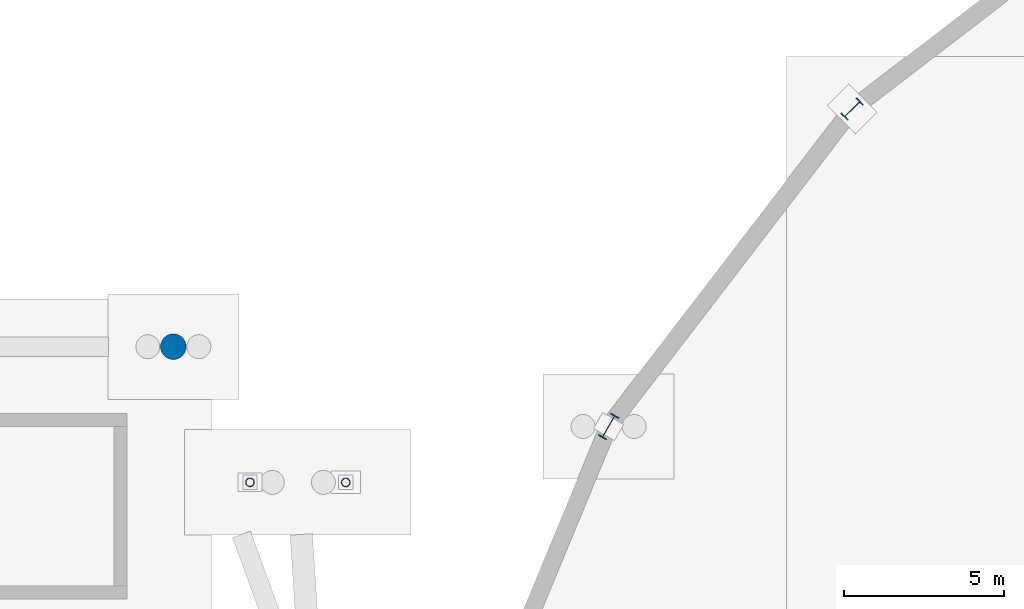
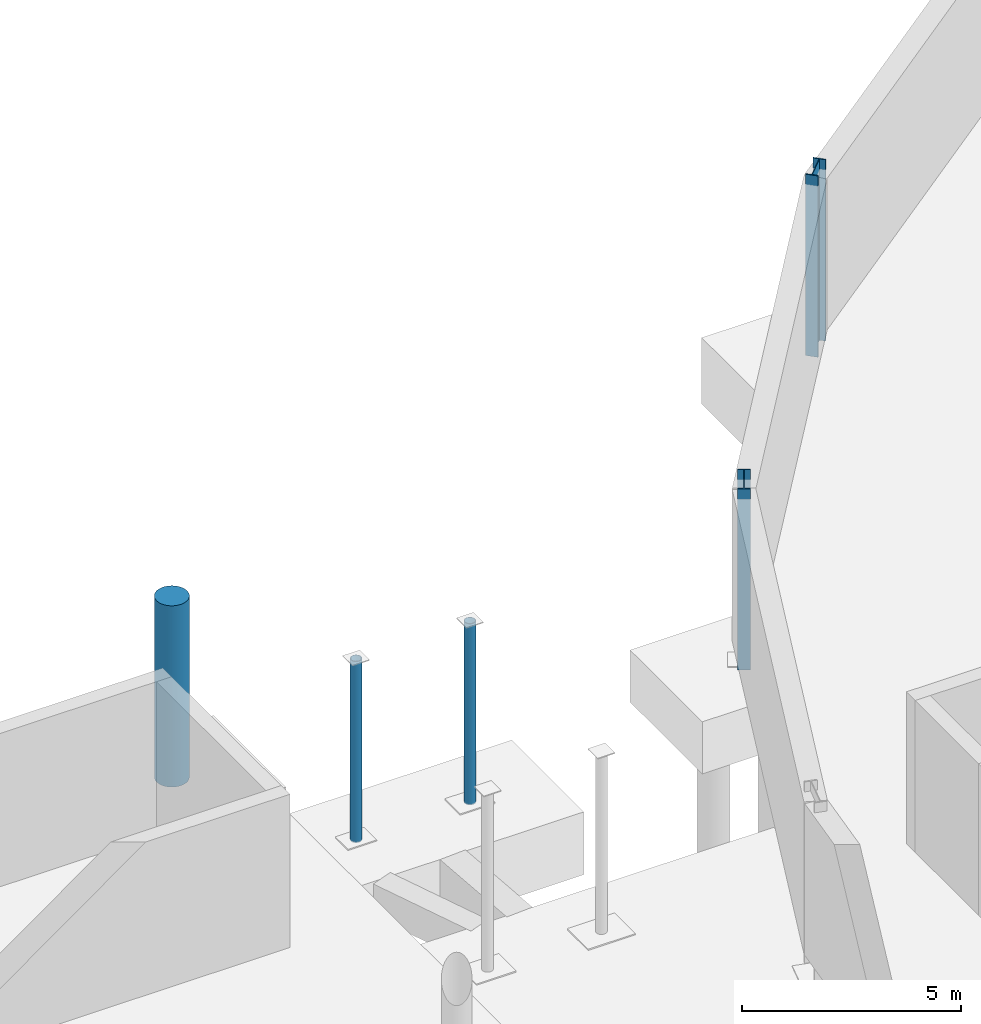
# One storey, part 21 of 55: 5 columns.
"""IFC4 building model written with IfcOpenShell, lengths in metres."""

from ifc_helpers import new_model, si_unit, direction, frame, origin, origin_2d, place, context, subcontext, project, spatial, circle, hollow_circle, i_section, extrude, material, material_profile, profile_set, type_object, element, save


model = new_model("IFC4")

# Units and contexts
model_context = context("Model", 3, precision=1e-05, world=origin(), true_north=direction((0.0, 1.0)))
body_context = subcontext(model_context, "Body", "Model", "MODEL_VIEW")
ifc_project = project(units=[si_unit("LENGTHUNIT", "METRE"), si_unit("AREAUNIT", "SQUARE_METRE"), si_unit("VOLUMEUNIT", "CUBIC_METRE"), si_unit("PLANEANGLEUNIT", "RADIAN"), si_unit("MASSUNIT", "GRAM", prefix="KILO")], contexts=[model_context])

# Site, building, storey
site_placement = place(None, origin())
site = spatial("IfcSite", under=ifc_project, at=site_placement, CompositionType="ELEMENT")
building_placement = place(site_placement, origin())
building = spatial("IfcBuilding", under=site, at=building_placement, Name="Sohan Crest Arena", CompositionType="ELEMENT")
storey_placement = place(building_placement, frame((0.0, 0.0, -4.5)))
storey = spatial("IfcBuildingStorey", under=building, at=storey_placement, Name="B1", CompositionType="ELEMENT", Elevation=-4.5)

# Columns
ifc_material_1 = material(Name="Concrete C40/50", Category="concrete")
ifc_material_profile_1 = material_profile(ifc_material_1, circle(Radius=0.39990234375, at=origin_2d()), Name="RC D800")
ifc_profile_set_1 = profile_set([ifc_material_profile_1], Name="Concrete C40/50")
column_type_1 = type_object("IfcColumnType", Name="STR-COL-C14", PredefinedType="COLUMN", material=ifc_profile_set_1)
column_1_placement = place(storey_placement, frame((42.800048828125, 104.5, -0.550048828125), z_axis=(0.0, 0.0, 1.0), x_axis=(1.0, 0.0, 0.0)))
element("IfcColumn", 1, at=column_1_placement, inside=storey, type_object=column_type_1, Name="Structural column COL-V3C-45-B1", PredefinedType="COLUMN", context=body_context, shape_type="SweptSolid", body=[
    extrude(circle(Radius=0.39990234375, at=origin_2d()), origin(), (0.0, 0.0, 1.0), 5.050048828125),
])
ifc_material_2 = material(Name="Steel S355", Category="steel")
ifc_material_profile_2 = material_profile(ifc_material_2, i_section(OverallWidth=0.300048828125, OverallDepth=0.699951171875, WebThickness=0.01708984375, FlangeThickness=0.031982421875, at=origin_2d()), Name="HEB 700")
ifc_profile_set_2 = profile_set([ifc_material_profile_2], Name="Steel S355")
column_type_2 = type_object("IfcColumnType", Name="STR-COL-C21", PredefinedType="COLUMN", material=ifc_profile_set_2)
column_2_placement = place(storey_placement, frame((64.05908203125, 111.94091796875, -0.550048828125), z_axis=(0.0, 0.0, 1.0), x_axis=(-0.707106781187, 0.707106781187, 0.0)))
element("IfcColumn", 2, at=column_2_placement, inside=storey, type_object=column_type_2, Name="Structural column COL-V2O-04-B1", PredefinedType="COLUMN", context=body_context, shape_type="SweptSolid", body=[
    extrude(i_section(OverallWidth=0.300048828125, OverallDepth=0.699951171875, WebThickness=0.01708984375, FlangeThickness=0.031982421875, at=origin_2d()), origin(), (0.0, 0.0, 1.0), 5.050048828125),
])
ifc_material_profile_3 = material_profile(ifc_material_2, i_section(OverallWidth=0.300048828125, OverallDepth=0.800048828125, WebThickness=0.017578125, FlangeThickness=0.032958984375, at=origin_2d()), Name="HEB 800")
ifc_profile_set_3 = profile_set([ifc_material_profile_3], Name="Steel S355")
column_type_3 = type_object("IfcColumnType", Name="STR-COL-C22", PredefinedType="COLUMN", material=ifc_profile_set_3)
column_3_placement = place(storey_placement, frame((56.430908203125, 102.0, -0.550048828125), z_axis=(0.0, 0.0, 1.0), x_axis=(-0.866025403784, 0.5, 0.0)))
element("IfcColumn", 3, at=column_3_placement, inside=storey, type_object=column_type_3, Name="Structural column COL-V2O-05-B1", PredefinedType="COLUMN", context=body_context, shape_type="SweptSolid", body=[
    extrude(i_section(OverallWidth=0.300048828125, OverallDepth=0.800048828125, WebThickness=0.017578125, FlangeThickness=0.032958984375, at=origin_2d()), origin(), (0.0, 0.0, 1.0), 5.050048828125),
])
ifc_material_profile_4 = material_profile(ifc_material_2, hollow_circle(Radius=0.136474609375, WallThickness=0.012451171875, at=origin_2d()), Name="CHS 273x12.5")
ifc_profile_set_4 = profile_set([ifc_material_profile_4], Name="Steel S355")
column_type_4 = type_object("IfcColumnType", Name="STR-COL-C25", PredefinedType="COLUMN", material=ifc_profile_set_4)
for number, where, z_axis, x_axis, name in (
    (4, (45.199951171875, 100.25, -0.550048828125), (0.0, 0.0, 1.0), (1.0, 0.0, 0.0), "Structural column COL-BC-BR-W2-3-B1"),
    (5, (48.199951171875, 100.25, -0.550048828125), (0.0, 0.0, 1.0), (1.0, 0.0, 0.0), "Structural column COL-BC-BR-W2-4-B1"),
):
    element("IfcColumn", number, at=place(storey_placement, frame(where, z_axis=z_axis, x_axis=x_axis)), inside=storey, type_object=column_type_4, Name=name, PredefinedType="COLUMN", context=body_context, shape_type="SweptSolid", body=[
        extrude(hollow_circle(Radius=0.136474609375, WallThickness=0.012451171875, at=origin_2d()), origin(), (0.0, 0.0, 1.0), 5.050048828125),
    ])

save(model, "model.ifc")
